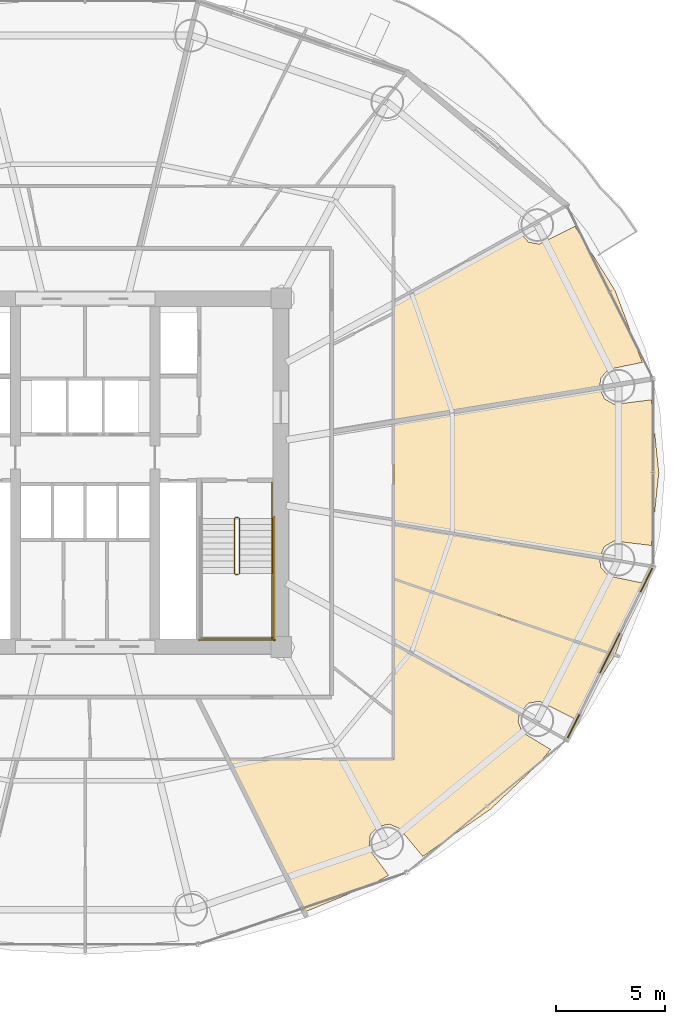
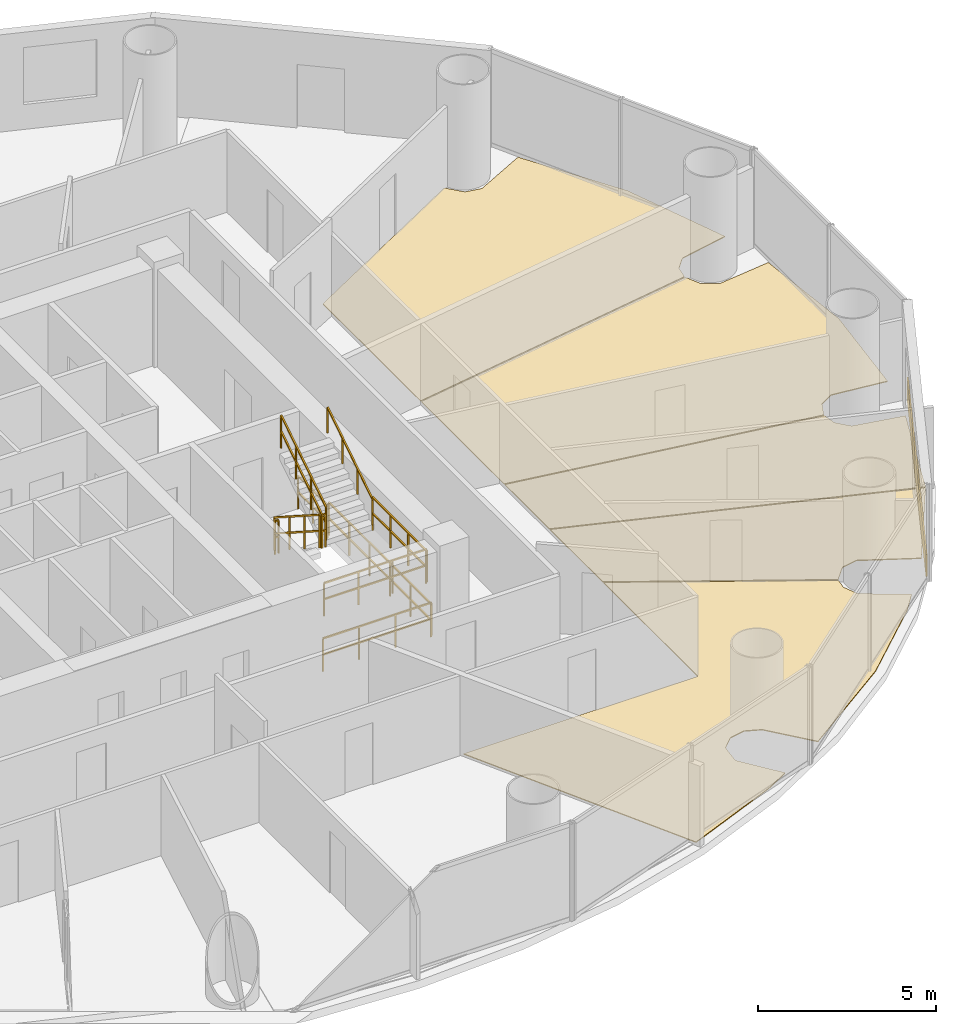
# One storey, part 27 of 28: 10 railings, 6 coverings.
"""IFC4 building model written with IfcOpenShell, lengths in metres."""

from ifc_helpers import new_model, si_unit, direction, frame, origin, origin_2d, place, context, subcontext, project, spatial, polyline, rectangle, outline, extrude, source, transform, mapped, material, layer, layer_set, type_object, element, save


model = new_model("IFC4")

# Units and contexts
model_context = context("Model", 3, precision=1e-05, world=origin(), true_north=direction((-0.2419218956, 0.970295726276)))
body_context = subcontext(model_context, "Body", "Model", "MODEL_VIEW")
ifc_project = project(units=[si_unit("LENGTHUNIT", "METRE"), si_unit("AREAUNIT", "SQUARE_METRE"), si_unit("VOLUMEUNIT", "CUBIC_METRE"), si_unit("PLANEANGLEUNIT", "RADIAN"), si_unit("MASSUNIT", "GRAM", prefix="KILO")], contexts=[model_context])

# Site, building, storey
site_placement = place(None, origin())
site = spatial("IfcSite", under=ifc_project, at=site_placement, CompositionType="ELEMENT")
building_placement = place(site_placement, origin())
building = spatial("IfcBuilding", under=site, at=building_placement, Name="Cobrevalo Terracotta Tower", CompositionType="ELEMENT")
storey_placement = place(building_placement, frame((0.0, 0.0, 108.60009765625)))
storey = spatial("IfcBuildingStorey", under=building, at=storey_placement, Name="L28", CompositionType="ELEMENT", Elevation=108.60009765625)

# Coverings
ifc_material_1 = material(Name="Engineered Brazilian hardwood flooring", Category="wood")
ifc_layer_1 = layer(ifc_material_1, 0.028076171875)
ifc_layer_set_1 = layer_set([ifc_layer_1], Name="Engineered Brazilian hardwood flooring")
covering_type_1 = type_object("IfcCoveringType", Name="Engineered Hardwood Suite Flooring 28", PredefinedType="FLOORING", material=ifc_layer_set_1)
covering_1_placement = place(storey_placement, origin())
element("IfcCovering", 1, at=covering_1_placement, inside=storey, type_object=covering_type_1, Name="Flat L28A Living and Dining Room floor finish", PredefinedType="FLOORING", context=body_context, shape_type="SweptSolid", body=[
    extrude(outline(polyline([(62.317138671875, 35.14892578125), (63.564208984375, 31.859619140625), (62.00732421875, 31.537841796875), (61.669677734375, 31.154541015625), (61.597412109375, 30.719970703125), (52.1650390625, 29.1611328125), (52.1650390625, 34.640625), (57.9296875, 37.8408203125), (58.338134765625, 37.381103515625), (58.84033203125, 37.286376953125), (60.474853515625, 38.10546875), (62.317138671875, 35.14892578125)])), origin(), (0.0, 0.0, 1.0), 0.02978515625),
])
covering_2_placement = place(storey_placement, origin())
element("IfcCovering", 2, at=covering_2_placement, inside=storey, type_object=covering_type_1, Name="Flat L28E Living and Dining Room floor finish", PredefinedType="FLOORING", context=body_context, shape_type="SweptSolid", body=[
    extrude(outline(polyline([(56.6123046875, 11.372314453125), (53.488525390625, 9.193359375), (52.422119140625, 10.474853515625), (51.95068359375, 10.672119140625), (51.44921875, 10.573974609375), (51.086669921875, 10.2138671875), (51.0185546875, 9.543701171875), (51.92431640625, 8.32666015625), (51.161376953125, 7.904052734375), (48.07177734375, 6.64306640625), (44.5859375, 13.635009765625), (52.1650390625, 13.635009765625), (52.1650390625, 18.91357421875), (57.916259765625, 15.720703125), (57.868408203125, 15.361328125), (58.05908203125, 14.88720703125), (59.35302734375, 14.102294921875), (58.882080078125, 13.518310546875), (56.6123046875, 11.372314453125)])), origin(), (0.0, 0.0, 1.0), 0.02978515625),
])
covering_3_placement = place(storey_placement, origin())
element("IfcCovering", 3, at=covering_3_placement, inside=storey, type_object=covering_type_1, Name="Flat L28E Master Bedroom floor finish", PredefinedType="FLOORING", context=body_context, shape_type="SweptSolid", body=[
    extrude(outline(polyline([(60.474853515625, 15.49462890625), (58.84033203125, 16.3134765625), (58.338134765625, 16.218994140625), (57.9296875, 15.759033203125), (52.1650390625, 18.959228515625), (52.1650390625, 21.904052734375), (62.296875, 18.417236328125), (60.474853515625, 15.49462890625)])), origin(), (0.0, 0.0, 1.0), 0.02978515625),
])
covering_4_placement = place(storey_placement, origin())
element("IfcCovering", 4, at=covering_4_placement, inside=storey, type_object=covering_type_1, Name="Flat L28E Principal Guest Bedroom floor finish", PredefinedType="FLOORING", context=body_context, shape_type="SweptSolid", body=[
    extrude(outline(polyline([(52.1650390625, 21.9462890625), (52.1650390625, 24.438720703125), (61.597412109375, 22.8798828125), (61.669677734375, 22.445556640625), (62.00732421875, 22.06201171875), (63.564208984375, 21.740478515625), (62.3154296875, 18.453369140625), (52.1650390625, 21.9462890625)])), origin(), (0.0, 0.0, 1.0), 0.02978515625),
])
covering_5_placement = place(storey_placement, origin())
element("IfcCovering", 5, at=covering_5_placement, inside=storey, type_object=covering_type_1, Name="Flat L28E Penthouse Family Lounge floor finish", PredefinedType="FLOORING", context=body_context, shape_type="SweptSolid", body=[
    extrude(outline(polyline([(61.60302734375, 30.680419921875), (61.8271484375, 30.189208984375), (62.26904296875, 29.932861328125), (63.975830078125, 30.143310546875), (64.31982421875, 26.800048828125), (63.975830078125, 23.45654296875), (62.26904296875, 23.6669921875), (61.8271484375, 23.41064453125), (61.60302734375, 22.919677734375), (52.1650390625, 24.479248046875), (52.1650390625, 29.12060546875), (61.60302734375, 30.680419921875)])), origin(), (0.0, 0.0, 1.0), 0.02978515625),
])

# Railings
ifc_material_2 = material(Name="Brushed stainless steel", Category="steel")
railing_type_1 = type_object("IfcRailingType", Name="Stainless Steel Stair Handrail 900", PredefinedType="HANDRAIL", material=ifc_material_2)
railing_1_placement = place(storey_placement, frame((46.574951171875, 22.179931640625, 1.97998046875)))
element("IfcRailing", 6, at=railing_1_placement, inside=storey, type_object=railing_type_1, Name="L28 ST-2 stair handrail 2", PredefinedType="HANDRAIL", context=body_context, shape_type="SweptSolid", body=[
    extrude(rectangle(XDim=0.048095703125, YDim=0.048095703125, at=origin_2d()), frame((0.0, 0.0, 0.8759765625), z_axis=(0.0, 0.841199657755, 0.540724639528), x_axis=(-1.0, 0.0, 0.0)), (0.0, 0.0, 1.0), 2.995849609375),
    extrude(rectangle(XDim=0.0419921875, YDim=0.0419921875, at=origin_2d()), origin(), (0.0, 0.0, 1.0), 0.851806640625),
    extrude(rectangle(XDim=0.0419921875, YDim=0.0419921875, at=origin_2d()), frame((0.0, 0.840087890625, 0.5400390625)), (0.0, 0.0, 1.0), 0.851806640625),
    extrude(rectangle(XDim=0.0419921875, YDim=0.0419921875, at=origin_2d()), frame((0.0, 1.679931640625, 1.079833984375)), (0.0, 0.0, 1.0), 0.851806640625),
    extrude(rectangle(XDim=0.0419921875, YDim=0.0419921875, at=origin_2d()), frame((0.0, 2.52001953125, 1.619873046875)), (0.0, 0.0, 1.0), 0.851806640625),
])
ifc_material_3 = material(Name="Painted galvanized steel", Category="steel")
railing_type_2 = type_object("IfcRailingType", Name="Stair Well Guard Balustrade 1150", PredefinedType="GUARDRAIL", material=ifc_material_3)
railing_2_placement = place(storey_placement, frame((44.85498046875, 24.699951171875, 0.179931640625)))
element("IfcRailing", 7, at=railing_2_placement, inside=storey, type_object=railing_type_2, Name="L28 ST-2 stair guard 1", PredefinedType="GUARDRAIL", context=body_context, shape_type="SweptSolid", body=[
    extrude(rectangle(XDim=0.048095703125, YDim=0.048095703125, at=origin_2d()), frame((0.0, 0.0, 1.1259765625), z_axis=(0.0, -0.841199657755, 0.540724639528), x_axis=(1.0, 0.0, 0.0)), (0.0, 0.0, 1.0), 2.995849609375),
    extrude(rectangle(XDim=0.048095703125, YDim=0.048095703125, at=origin_2d()), frame((0.0, 0.0, 0.574951171875), z_axis=(0.0, -0.841199657755, 0.540724639528), x_axis=(1.0, 0.0, 0.0)), (0.0, 0.0, 1.0), 2.995849609375),
    extrude(rectangle(XDim=0.0419921875, YDim=0.0419921875, at=origin_2d()), origin(), (0.0, 0.0, 1.0), 1.101806640625),
    extrude(rectangle(XDim=0.0419921875, YDim=0.0419921875, at=origin_2d()), frame((0.0, -0.840087890625, 0.5400390625)), (0.0, 0.0, 1.0), 1.101806640625),
    extrude(rectangle(XDim=0.0419921875, YDim=0.0419921875, at=origin_2d()), frame((0.0, -1.679931640625, 1.079833984375)), (0.0, 0.0, 1.0), 1.101806640625),
    extrude(rectangle(XDim=0.0419921875, YDim=0.0419921875, at=origin_2d()), frame((0.0, -2.52001953125, 1.619873046875)), (0.0, 0.0, 1.0), 1.101806640625),
])
railing_3_placement = place(storey_placement, frame((44.905029296875, 22.1298828125, 1.7998046875)))
element("IfcRailing", 8, at=railing_3_placement, inside=storey, type_object=railing_type_2, Name="L28 ST-2 stair guard 2", PredefinedType="GUARDRAIL", context=body_context, shape_type="SweptSolid", body=[
    extrude(rectangle(XDim=0.048095703125, YDim=0.048095703125, at=origin_2d()), frame((0.0, 0.0, 1.1259765625), z_axis=(1.0, 0.0, 0.0), x_axis=(0.0, 1.0, 0.0)), (0.0, 0.0, 1.0), 0.119873046875),
    extrude(rectangle(XDim=0.048095703125, YDim=0.048095703125, at=origin_2d()), frame((0.0, 0.0, 0.574951171875), z_axis=(1.0, 0.0, 0.0), x_axis=(0.0, 1.0, 0.0)), (0.0, 0.0, 1.0), 0.119873046875),
    extrude(rectangle(XDim=0.0419921875, YDim=0.0419921875, at=origin_2d()), origin(), (0.0, 0.0, 1.0), 1.101806640625),
    extrude(rectangle(XDim=0.0419921875, YDim=0.0419921875, at=origin_2d()), frame((0.119873046875, 0.0, 0.0)), (0.0, 0.0, 1.0), 1.101806640625),
])
railing_4_placement = place(storey_placement, frame((46.574951171875, 22.179931640625, 1.7998046875)))
element("IfcRailing", 9, at=railing_4_placement, inside=storey, type_object=railing_type_2, Name="L28 ST-2 stair guard 4", PredefinedType="GUARDRAIL", context=body_context, shape_type="SweptSolid", body=[
    extrude(rectangle(XDim=0.048095703125, YDim=0.048095703125, at=origin_2d()), frame((0.0, 0.0, 1.1259765625), z_axis=(0.0, -1.0, 0.0), x_axis=(1.0, 0.0, 0.0)), (0.0, 0.0, 1.0), 3.0048828125),
    extrude(rectangle(XDim=0.048095703125, YDim=0.048095703125, at=origin_2d()), frame((0.0, 0.0, 0.574951171875), z_axis=(0.0, -1.0, 0.0), x_axis=(1.0, 0.0, 0.0)), (0.0, 0.0, 1.0), 3.0048828125),
    extrude(rectangle(XDim=0.0419921875, YDim=0.0419921875, at=origin_2d()), origin(), (0.0, 0.0, 1.0), 1.101806640625),
    extrude(rectangle(XDim=0.0419921875, YDim=0.0419921875, at=origin_2d()), frame((0.0, -1.001708984375, 0.0)), (0.0, 0.0, 1.0), 1.101806640625),
    extrude(rectangle(XDim=0.0419921875, YDim=0.0419921875, at=origin_2d()), frame((0.0, -2.003173828125, 0.0)), (0.0, 0.0, 1.0), 1.101806640625),
    extrude(rectangle(XDim=0.0419921875, YDim=0.0419921875, at=origin_2d()), frame((0.0, -3.0048828125, 0.0)), (0.0, 0.0, 1.0), 1.101806640625),
])
railing_5_placement = place(storey_placement, frame((43.304931640625, 19.22509765625, 1.7998046875)))
element("IfcRailing", 10, at=railing_5_placement, inside=storey, type_object=railing_type_2, Name="L28 ST-2 stair guard 5", PredefinedType="GUARDRAIL", context=body_context, shape_type="SweptSolid", body=[
    extrude(rectangle(XDim=0.048095703125, YDim=0.048095703125, at=origin_2d()), frame((0.0, 0.0, 1.1259765625), z_axis=(1.0, 0.0, 0.0), x_axis=(0.0, 1.0, 0.0)), (0.0, 0.0, 1.0), 3.320068359375),
    extrude(rectangle(XDim=0.048095703125, YDim=0.048095703125, at=origin_2d()), frame((0.0, 0.0, 0.574951171875), z_axis=(1.0, 0.0, 0.0), x_axis=(0.0, 1.0, 0.0)), (0.0, 0.0, 1.0), 3.320068359375),
    extrude(rectangle(XDim=0.0419921875, YDim=0.0419921875, at=origin_2d()), origin(), (0.0, 0.0, 1.0), 1.101806640625),
    extrude(rectangle(XDim=0.0419921875, YDim=0.0419921875, at=origin_2d()), frame((1.106689453125, 0.0, 0.0)), (0.0, 0.0, 1.0), 1.101806640625),
    extrude(rectangle(XDim=0.0419921875, YDim=0.0419921875, at=origin_2d()), frame((2.21337890625, 0.0, 0.0)), (0.0, 0.0, 1.0), 1.101806640625),
    extrude(rectangle(XDim=0.0419921875, YDim=0.0419921875, at=origin_2d()), frame((3.320068359375, 0.0, 0.0)), (0.0, 0.0, 1.0), 1.101806640625),
])
railing_6_placement = place(storey_placement, frame((45.074951171875, 22.179931640625, 1.97998046875)))
element("IfcRailing", 11, at=railing_6_placement, inside=storey, type_object=railing_type_2, Name="L28 ST-2 stair guard 6", PredefinedType="GUARDRAIL", context=body_context, shape_type="SweptSolid", body=[
    extrude(rectangle(XDim=0.048095703125, YDim=0.048095703125, at=origin_2d()), frame((0.0, 0.0, 1.1259765625), z_axis=(0.0, 0.841199657755, 0.540724639528), x_axis=(-1.0, 0.0, 0.0)), (0.0, 0.0, 1.0), 2.995849609375),
    extrude(rectangle(XDim=0.048095703125, YDim=0.048095703125, at=origin_2d()), frame((0.0, 0.0, 0.574951171875), z_axis=(0.0, 0.841199657755, 0.540724639528), x_axis=(-1.0, 0.0, 0.0)), (0.0, 0.0, 1.0), 2.995849609375),
    extrude(rectangle(XDim=0.0419921875, YDim=0.0419921875, at=origin_2d()), origin(), (0.0, 0.0, 1.0), 1.101806640625),
    extrude(rectangle(XDim=0.0419921875, YDim=0.0419921875, at=origin_2d()), frame((0.0, 0.840087890625, 0.5400390625)), (0.0, 0.0, 1.0), 1.101806640625),
    extrude(rectangle(XDim=0.0419921875, YDim=0.0419921875, at=origin_2d()), frame((0.0, 1.679931640625, 1.079833984375)), (0.0, 0.0, 1.0), 1.101806640625),
    extrude(rectangle(XDim=0.0419921875, YDim=0.0419921875, at=origin_2d()), frame((0.0, 2.52001953125, 1.619873046875)), (0.0, 0.0, 1.0), 1.101806640625),
])
railing_7_placement = place(storey_placement, frame((44.905029296875, 24.75, 0.0)))
element("IfcRailing", 12, at=railing_7_placement, inside=storey, type_object=railing_type_2, Name="L28 ST-2 stair guard 7", PredefinedType="GUARDRAIL", context=body_context, shape_type="SweptSolid", body=[
    extrude(rectangle(XDim=0.048095703125, YDim=0.048095703125, at=origin_2d()), frame((0.0, 0.0, 1.1259765625), z_axis=(1.0, 0.0, 0.0), x_axis=(0.0, 1.0, 0.0)), (0.0, 0.0, 1.0), 0.119873046875),
    extrude(rectangle(XDim=0.048095703125, YDim=0.048095703125, at=origin_2d()), frame((0.0, 0.0, 0.574951171875), z_axis=(1.0, 0.0, 0.0), x_axis=(0.0, 1.0, 0.0)), (0.0, 0.0, 1.0), 0.119873046875),
    extrude(rectangle(XDim=0.0419921875, YDim=0.0419921875, at=origin_2d()), origin(), (0.0, 0.0, 1.0), 1.101806640625),
    extrude(rectangle(XDim=0.0419921875, YDim=0.0419921875, at=origin_2d()), frame((0.119873046875, 0.0, 0.0)), (0.0, 0.0, 1.0), 1.101806640625),
])
railing_8_placement = place(storey_placement, frame((46.574951171875, 26.35009765625, 0.0)))
element("IfcRailing", 13, at=railing_8_placement, inside=storey, type_object=railing_type_2, Name="L28 ST-2 stair guard 9", PredefinedType="GUARDRAIL", context=body_context, shape_type="SweptSolid", body=[
    extrude(rectangle(XDim=0.048095703125, YDim=0.048095703125, at=origin_2d()), frame((0.0, 0.0, 1.1259765625), z_axis=(0.0, -1.0, 0.0), x_axis=(1.0, 0.0, 0.0)), (0.0, 0.0, 1.0), 1.650146484375),
    extrude(rectangle(XDim=0.048095703125, YDim=0.048095703125, at=origin_2d()), frame((0.0, 0.0, 0.574951171875), z_axis=(0.0, -1.0, 0.0), x_axis=(1.0, 0.0, 0.0)), (0.0, 0.0, 1.0), 1.650146484375),
    extrude(rectangle(XDim=0.0419921875, YDim=0.0419921875, at=origin_2d()), origin(), (0.0, 0.0, 1.0), 1.101806640625),
    extrude(rectangle(XDim=0.0419921875, YDim=0.0419921875, at=origin_2d()), frame((0.0, -0.8251953125, 0.0)), (0.0, 0.0, 1.0), 1.101806640625),
    extrude(rectangle(XDim=0.0419921875, YDim=0.0419921875, at=origin_2d()), frame((0.0, -1.650146484375, 0.0)), (0.0, 0.0, 1.0), 1.101806640625),
])
railing_9_placement = place(storey_placement, frame((46.675048828125, 24.800048828125, 0.0)))
element("IfcRailing", 14, at=railing_9_placement, inside=storey, type_object=railing_type_2, Name="L28 ST-2 stair guard 11", PredefinedType="GUARDRAIL", context=body_context, shape_type="SweptSolid", body=[
    extrude(rectangle(XDim=0.048095703125, YDim=0.048095703125, at=origin_2d()), frame((0.0, 0.0, 1.1259765625), z_axis=(0.0, -1.0, 0.0), x_axis=(1.0, 0.0, 0.0)), (0.0, 0.0, 1.0), 5.72509765625),
    extrude(rectangle(XDim=0.048095703125, YDim=0.048095703125, at=origin_2d()), frame((0.0, 0.0, 0.574951171875), z_axis=(0.0, -1.0, 0.0), x_axis=(1.0, 0.0, 0.0)), (0.0, 0.0, 1.0), 5.72509765625),
    extrude(rectangle(XDim=0.0419921875, YDim=0.0419921875, at=origin_2d()), origin(), (0.0, 0.0, 1.0), 1.101806640625),
    extrude(rectangle(XDim=0.0419921875, YDim=0.0419921875, at=origin_2d()), frame((0.0, -1.14501953125, 0.0)), (0.0, 0.0, 1.0), 1.101806640625),
    extrude(rectangle(XDim=0.0419921875, YDim=0.0419921875, at=origin_2d()), frame((0.0, -2.2900390625, 0.0)), (0.0, 0.0, 1.0), 1.101806640625),
    extrude(rectangle(XDim=0.0419921875, YDim=0.0419921875, at=origin_2d()), frame((0.0, -3.43505859375, 0.0)), (0.0, 0.0, 1.0), 1.101806640625),
    extrude(rectangle(XDim=0.0419921875, YDim=0.0419921875, at=origin_2d()), frame((0.0, -4.580078125, 0.0)), (0.0, 0.0, 1.0), 1.101806640625),
    extrude(rectangle(XDim=0.0419921875, YDim=0.0419921875, at=origin_2d()), frame((0.0, -5.72509765625, 0.0)), (0.0, 0.0, 1.0), 1.101806640625),
])
railing_10_placement = place(storey_placement, frame((43.205078125, 19.125, 0.0)))
element("IfcRailing", 15, at=railing_10_placement, inside=storey, type_object=railing_type_2, Name="L28 ST-2 stair guard 12", PredefinedType="GUARDRAIL", context=body_context, shape_type="SweptSolid", body=[
    extrude(rectangle(XDim=0.048095703125, YDim=0.048095703125, at=origin_2d()), frame((0.0, 0.0, 1.1259765625), z_axis=(1.0, 0.0, 0.0), x_axis=(0.0, 1.0, 0.0)), (0.0, 0.0, 1.0), 3.52001953125),
    extrude(rectangle(XDim=0.048095703125, YDim=0.048095703125, at=origin_2d()), frame((0.0, 0.0, 0.574951171875), z_axis=(1.0, 0.0, 0.0), x_axis=(0.0, 1.0, 0.0)), (0.0, 0.0, 1.0), 3.52001953125),
    extrude(rectangle(XDim=0.0419921875, YDim=0.0419921875, at=origin_2d()), origin(), (0.0, 0.0, 1.0), 1.101806640625),
    extrude(rectangle(XDim=0.0419921875, YDim=0.0419921875, at=origin_2d()), frame((1.17333984375, 0.0, 0.0)), (0.0, 0.0, 1.0), 1.101806640625),
    extrude(rectangle(XDim=0.0419921875, YDim=0.0419921875, at=origin_2d()), frame((2.3466796875, 0.0, 0.0)), (0.0, 0.0, 1.0), 1.101806640625),
    extrude(rectangle(XDim=0.0419921875, YDim=0.0419921875, at=origin_2d()), frame((3.52001953125, 0.0, 0.0)), (0.0, 0.0, 1.0), 1.101806640625),
])

# Covering
ifc_material_4 = material(Name="Glazed terracotta facade cladding tile", Category="masonry")
ifc_layer_2 = layer(ifc_material_4, 0.044921875)
ifc_layer_set_2 = layer_set([ifc_layer_2], Name="Glazed terracotta facade cladding tile")
covering_type_2 = type_object("IfcCoveringType", Name="Architectural terracotta rainscreen spandrel cladding 45 mm", PredefinedType="CLADDING", material=ifc_layer_set_2)
shared_shape = source(origin(), body_context, "Body", "SweptSolid", [
    extrude(rectangle(XDim=8.690185546875, YDim=0.044921875, at=origin_2d()), origin(), (0.0, 0.0, 1.0), 0.760009765625),
])
covering_6_placement = place(storey_placement, frame((62.075927734375, 18.516357421875, 0.0400390625), z_axis=(0.0, 0.0, 1.0), x_axis=(0.446261852127, 0.894902430065, 0.0)))
element("IfcCovering", 16, at=covering_6_placement, inside=storey, type_object=covering_type_2, Name="L28 terracotta spandrel cladding S15", PredefinedType="CLADDING", context=body_context, shape_type="MappedRepresentation", body=[
    mapped(shared_shape, transform((0.0, 0.0, 0.0), scale=1.0)),
])

save(model, "model.ifc")
